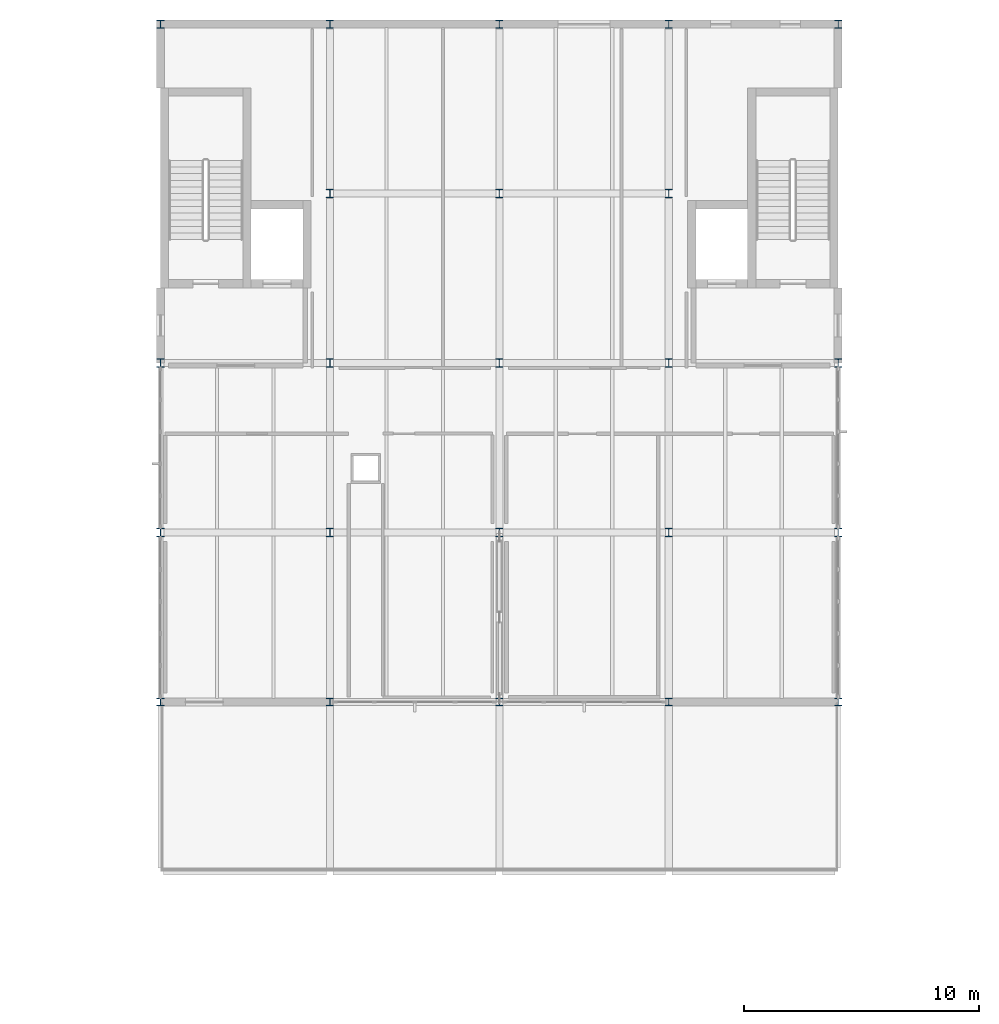
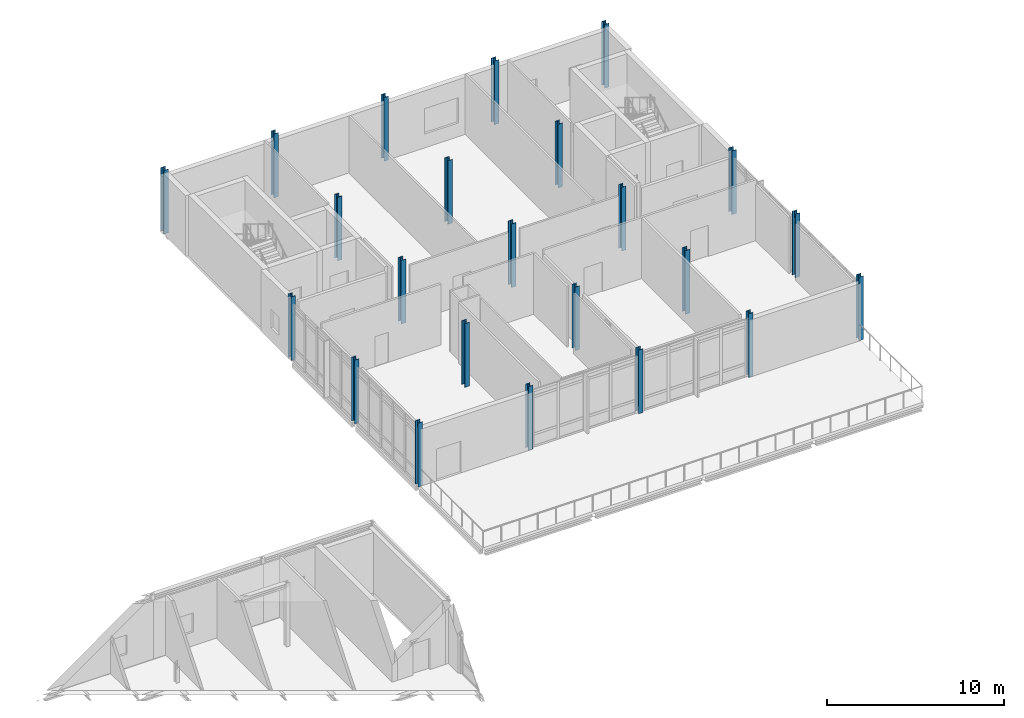
# One storey, part 6 of 53: 23 columns.
"""IFC4 building model written with IfcOpenShell, lengths in metres."""

from ifc_helpers import new_model, si_unit, direction, frame, origin, origin_2d, place, context, subcontext, project, spatial, i_section, extrude, material, material_profile, profile_set, type_object, element, save


model = new_model("IFC4")

# Units and contexts
model_context = context("Model", 3, precision=1e-05, world=origin(), true_north=direction((0.0, 1.0)))
body_context = subcontext(model_context, "Body", "Model", "MODEL_VIEW")
ifc_project = project(units=[si_unit("LENGTHUNIT", "METRE"), si_unit("AREAUNIT", "SQUARE_METRE"), si_unit("VOLUMEUNIT", "CUBIC_METRE"), si_unit("PLANEANGLEUNIT", "RADIAN"), si_unit("MASSUNIT", "GRAM", prefix="KILO")], contexts=[model_context])

# Site, building, storey
site_placement = place(None, origin())
site = spatial("IfcSite", under=ifc_project, at=site_placement, CompositionType="ELEMENT")
building_placement = place(site_placement, origin())
building = spatial("IfcBuilding", under=site, at=building_placement, Name="Zarrinpeak Specialist Clinic", CompositionType="ELEMENT")
storey_placement = place(building_placement, frame((0.0, 0.0, 14.0)))
storey = spatial("IfcBuildingStorey", under=building, at=storey_placement, Name="L03", CompositionType="ELEMENT", Elevation=14.0)

# Columns
ifc_material = material(Name="Steel S355", Category="steel")
ifc_material_profile_1 = material_profile(ifc_material, i_section(OverallWidth=0.300048828125, OverallDepth=0.320068359375, WebThickness=0.011474609375, FlangeThickness=0.0205078125, FilletRadius=0.027099609375, at=origin_2d()), Name="HEB 320")
ifc_profile_set_1 = profile_set([ifc_material_profile_1], Name="Steel S355")
column_type_1 = type_object("IfcColumnType", Name="COL-HEB320", PredefinedType="COLUMN", material=ifc_profile_set_1)
for number, where, z_axis, x_axis, name in (
    (1, (36.0, 89.199951171875, 0.0), (0.0, 0.0, 1.0), (1.0, 0.0, 0.0), "L03 Structural Column COL-L03-067"),
    (2, (43.199951171875, 89.199951171875, 0.0), (0.0, 0.0, 1.0), (1.0, 0.0, 0.0), "L03 Structural Column COL-L03-075"),
    (3, (50.39990234375, 89.199951171875, 0.0), (0.0, 0.0, 1.0), (1.0, 0.0, 0.0), "L03 Structural Column COL-L03-084"),
    (4, (57.60009765625, 89.199951171875, 0.0), (0.0, 0.0, 1.0), (1.0, 0.0, 0.0), "L03 Structural Column COL-L03-092"),
    (5, (64.800048828125, 89.199951171875, 0.0), (0.0, 0.0, 1.0), (1.0, 0.0, 0.0), "L03 Structural Column COL-L03-103"),
):
    element("IfcColumn", number, at=place(storey_placement, frame(where, z_axis=z_axis, x_axis=x_axis)), inside=storey, type_object=column_type_1, Name=name, PredefinedType="COLUMN", context=body_context, shape_type="SweptSolid", body=[
        extrude(i_section(OverallWidth=0.300048828125, OverallDepth=0.320068359375, WebThickness=0.011474609375, FlangeThickness=0.0205078125, FilletRadius=0.027099609375, at=origin_2d()), origin(), (0.0, 0.0, 1.0), 4.39990234375),
    ])
ifc_material_profile_2 = material_profile(ifc_material, i_section(OverallWidth=0.300048828125, OverallDepth=0.360107421875, WebThickness=0.012451171875, FlangeThickness=0.0224609375, FilletRadius=0.027099609375, at=origin_2d()), Name="HEB 360")
ifc_profile_set_2 = profile_set([ifc_material_profile_2], Name="Steel S355")
column_type_2 = type_object("IfcColumnType", Name="COL-HEB360", PredefinedType="COLUMN", material=ifc_profile_set_2)
for number, where, z_axis, x_axis, name in (
    (6, (36.0, 96.39990234375, 0.0), (0.0, 0.0, 1.0), (1.0, 0.0, 0.0), "L03 Structural Column COL-L03-068"),
    (7, (36.0, 103.60009765625, 0.0), (0.0, 0.0, 1.0), (1.0, 0.0, 0.0), "L03 Structural Column COL-L03-069"),
    (8, (36.0, 118.0, 0.0), (0.0, 0.0, 1.0), (1.0, 0.0, 0.0), "L03 Structural Column COL-L03-070"),
    (9, (43.199951171875, 96.39990234375, 0.0), (0.0, 0.0, 1.0), (1.0, 0.0, 0.0), "L03 Structural Column COL-L03-076"),
    (10, (43.199951171875, 103.60009765625, 0.0), (0.0, 0.0, 1.0), (1.0, 0.0, 0.0), "L03 Structural Column COL-L03-077"),
    (11, (43.199951171875, 110.800048828125, 0.0), (0.0, 0.0, 1.0), (1.0, 0.0, 0.0), "L03 Structural Column COL-L03-078"),
    (12, (43.199951171875, 118.0, 0.0), (0.0, 0.0, 1.0), (1.0, 0.0, 0.0), "L03 Structural Column COL-L03-079"),
    (13, (50.39990234375, 96.39990234375, 0.0), (0.0, 0.0, 1.0), (1.0, 0.0, 0.0), "L03 Structural Column COL-L03-085"),
    (14, (50.39990234375, 103.60009765625, 0.0), (0.0, 0.0, 1.0), (1.0, 0.0, 0.0), "L03 Structural Column COL-L03-086"),
    (15, (50.39990234375, 110.800048828125, 0.0), (0.0, 0.0, 1.0), (1.0, 0.0, 0.0), "L03 Structural Column COL-L03-087"),
    (16, (50.39990234375, 118.0, 0.0), (0.0, 0.0, 1.0), (1.0, 0.0, 0.0), "L03 Structural Column COL-L03-088"),
    (17, (57.60009765625, 96.39990234375, 0.0), (0.0, 0.0, 1.0), (1.0, 0.0, 0.0), "L03 Structural Column COL-L03-093"),
    (18, (57.60009765625, 103.60009765625, 0.0), (0.0, 0.0, 1.0), (1.0, 0.0, 0.0), "L03 Structural Column COL-L03-094"),
    (19, (57.60009765625, 110.800048828125, 0.0), (0.0, 0.0, 1.0), (1.0, 0.0, 0.0), "L03 Structural Column COL-L03-095"),
    (20, (57.60009765625, 118.0, 0.0), (0.0, 0.0, 1.0), (1.0, 0.0, 0.0), "L03 Structural Column COL-L03-096"),
    (21, (64.800048828125, 96.39990234375, 0.0), (0.0, 0.0, 1.0), (1.0, 0.0, 0.0), "L03 Structural Column COL-L03-104"),
    (22, (64.800048828125, 103.60009765625, 0.0), (0.0, 0.0, 1.0), (1.0, 0.0, 0.0), "L03 Structural Column COL-L03-105"),
    (23, (64.800048828125, 118.0, 0.0), (0.0, 0.0, 1.0), (1.0, 0.0, 0.0), "L03 Structural Column COL-L03-106"),
):
    element("IfcColumn", number, at=place(storey_placement, frame(where, z_axis=z_axis, x_axis=x_axis)), inside=storey, type_object=column_type_2, Name=name, PredefinedType="COLUMN", context=body_context, shape_type="SweptSolid", body=[
        extrude(i_section(OverallWidth=0.300048828125, OverallDepth=0.360107421875, WebThickness=0.012451171875, FlangeThickness=0.0224609375, FilletRadius=0.027099609375, at=origin_2d()), origin(), (0.0, 0.0, 1.0), 4.39990234375),
    ])

save(model, "model.ifc")
